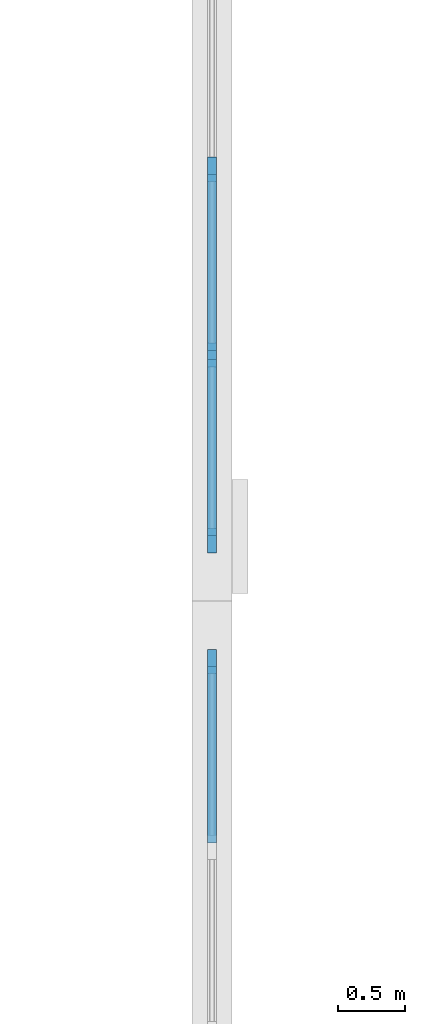
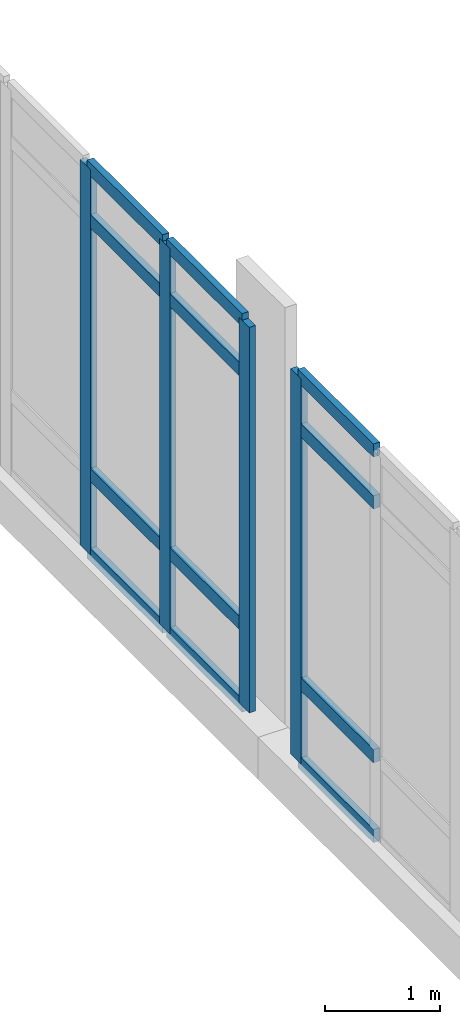
# One storey, part 48 of 110: 16 members, 2 elements without a shape of their own.
"""IFC4 building model written with IfcOpenShell, lengths in metres."""

from ifc_helpers import new_model, si_unit, direction, frame, origin, origin_2d, place, context, subcontext, project, spatial, rectangle, extrude, material, layer, layer_set, material_profile, profile_set, type_object, element, aggregate, save


model = new_model("IFC4")

# Units and contexts
model_context = context("Model", 3, precision=1e-05, world=origin(), true_north=direction((0.0, 1.0)))
body_context = subcontext(model_context, "Body", "Model", "MODEL_VIEW")
ifc_project = project(units=[si_unit("LENGTHUNIT", "METRE"), si_unit("AREAUNIT", "SQUARE_METRE"), si_unit("VOLUMEUNIT", "CUBIC_METRE"), si_unit("PLANEANGLEUNIT", "RADIAN"), si_unit("MASSUNIT", "GRAM", prefix="KILO")], contexts=[model_context])

# Site, building, storey
site_placement = place(None, origin())
site = spatial("IfcSite", under=ifc_project, at=site_placement, CompositionType="ELEMENT")
building_placement = place(site_placement, origin())
building = spatial("IfcBuilding", under=site, at=building_placement, Name="Zacnel Wholesale Market", CompositionType="ELEMENT")
storey_placement = place(building_placement, frame((0.0, 0.0, 6.300048828125)))
storey = spatial("IfcBuildingStorey", under=building, at=storey_placement, Name="L02", CompositionType="ELEMENT", Elevation=6.300048828125)

# Curtain wall, member
ifc_material_1 = material(Name="Anodised aluminium", Category="aluminium")
ifc_layer = layer(ifc_material_1, 0.159912109375)
ifc_layer_set = layer_set([ifc_layer], Name="Anodised aluminium")
curtain_wall_type = type_object("IfcCurtainWallType", Name="CW-NAVE-4200", PredefinedType="NOTDEFINED", material=ifc_layer_set)
curtain_wall_1_placement = place(storey_placement, origin())
curtain_wall_1 = element("IfcCurtainWall", 1, at=curtain_wall_1_placement, inside=storey, type_object=curtain_wall_type, Name="Curtain wall ENV-R2-CW-L02-033", PredefinedType="NOTDEFINED")
ifc_material_2 = material(Name="Anodised aluminium", Category="aluminium")
ifc_material_profile_1 = material_profile(ifc_material_2, rectangle(XDim=0.06494140625, YDim=0.179931640625, at=origin_2d()), Name="AW-MULLION 65x180")
ifc_profile_set_1 = profile_set([ifc_material_profile_1], Name="Anodised aluminium")
member_type_1 = type_object("IfcMemberType", Name="CWM-MUL-03", PredefinedType="MULLION", material=ifc_profile_set_1)
member_1_placement = place(storey_placement, frame((189.0, 119.550048828125, 0.449951171875), z_axis=(0.0, 0.0, 1.0), x_axis=(1.0, 0.0, 0.0)))
member_1 = element("IfcMember", 2, at=member_1_placement, type_object=member_type_1, Name="ENV-R2-CW-L02-033 mullion 09", PredefinedType="MULLION", context=body_context, shape_type="SweptSolid", body=[
    extrude(rectangle(XDim=0.06494140625, YDim=0.179931640625, at=origin_2d()), origin(), (0.0, 0.0, 1.0), 4.10009765625),
])

# Curtain wall, members
curtain_wall_2_placement = place(storey_placement, origin())
curtain_wall_2 = element("IfcCurtainWall", 3, at=curtain_wall_2_placement, inside=storey, type_object=curtain_wall_type, Name="Curtain wall ENV-R2-CW-L02-034", PredefinedType="NOTDEFINED")
member_2_placement = place(storey_placement, frame((189.0, 120.449951171875, 0.449951171875), z_axis=(0.0, 0.0, 1.0), x_axis=(1.0, 0.0, 0.0)))
member_2 = element("IfcMember", 4, at=member_2_placement, type_object=member_type_1, Name="ENV-R2-CW-L02-034 mullion 01", PredefinedType="MULLION", context=body_context, shape_type="SweptSolid", body=[
    extrude(rectangle(XDim=0.06494140625, YDim=0.179931640625, at=origin_2d()), origin(), (0.0, 0.0, 1.0), 4.10009765625),
])
member_3_placement = place(storey_placement, frame((189.0, 121.8349609375, 0.449951171875), z_axis=(0.0, 0.0, 1.0), x_axis=(1.0, 0.0, 0.0)))
member_3 = element("IfcMember", 5, at=member_3_placement, type_object=member_type_1, Name="ENV-R2-CW-L02-034 mullion 02", PredefinedType="MULLION", context=body_context, shape_type="SweptSolid", body=[
    extrude(rectangle(XDim=0.06494140625, YDim=0.179931640625, at=origin_2d()), origin(), (0.0, 0.0, 1.0), 4.10009765625),
])
member_4_placement = place(storey_placement, frame((189.0, 123.219970703125, 0.449951171875), z_axis=(0.0, 0.0, 1.0), x_axis=(1.0, 0.0, 0.0)))
member_4 = element("IfcMember", 6, at=member_4_placement, type_object=member_type_1, Name="ENV-R2-CW-L02-034 mullion 03", PredefinedType="MULLION", context=body_context, shape_type="SweptSolid", body=[
    extrude(rectangle(XDim=0.06494140625, YDim=0.179931640625, at=origin_2d()), origin(), (0.0, 0.0, 1.0), 4.10009765625),
])

# Member
ifc_material_3 = material(Name="Anodised aluminium", Category="aluminium")
ifc_material_profile_2 = material_profile(ifc_material_3, rectangle(XDim=0.06494140625, YDim=0.139892578125, at=origin_2d()), Name="AW-TRANSOM 65x140")
ifc_profile_set_2 = profile_set([ifc_material_profile_2], Name="Anodised aluminium")
member_type_2 = type_object("IfcMemberType", Name="CWM-TRN-03", PredefinedType="USERDEFINED", material=ifc_profile_set_2)
member_5_placement = place(storey_placement, frame((189.0, 118.197509765625, 0.449951171875), z_axis=(0.0, 1.0, 0.0), x_axis=(-1.0, 0.0, 0.0)))
member_5 = element("IfcMember", 7, at=member_5_placement, type_object=member_type_2, Name="ENV-R2-CW-L02-033 transom 8-1", ObjectType="TRANSOM", PredefinedType="USERDEFINED", context=body_context, shape_type="SweptSolid", body=[
    extrude(rectangle(XDim=0.06494140625, YDim=0.139892578125, at=origin_2d()), origin(), (0.0, 0.0, 1.0), 1.3173828125),
])

member_6_placement = place(storey_placement, frame((189.0, 118.197509765625, 1.300048828125), z_axis=(0.0, 1.0, 0.0), x_axis=(-1.0, 0.0, 0.0)))
member_6 = element("IfcMember", 8, at=member_6_placement, type_object=member_type_2, Name="ENV-R2-CW-L02-033 transom 8-2", ObjectType="TRANSOM", PredefinedType="USERDEFINED", context=body_context, shape_type="SweptSolid", body=[
    extrude(rectangle(XDim=0.06494140625, YDim=0.139892578125, at=origin_2d()), origin(), (0.0, 0.0, 1.0), 1.3173828125),
])

member_7_placement = place(storey_placement, frame((189.0, 118.197509765625, 4.0), z_axis=(0.0, 1.0, 0.0), x_axis=(-1.0, 0.0, 0.0)))
member_7 = element("IfcMember", 9, at=member_7_placement, type_object=member_type_2, Name="ENV-R2-CW-L02-033 transom 8-3", ObjectType="TRANSOM", PredefinedType="USERDEFINED", context=body_context, shape_type="SweptSolid", body=[
    extrude(rectangle(XDim=0.06494140625, YDim=0.139892578125, at=origin_2d()), origin(), (0.0, 0.0, 1.0), 1.3173828125),
])

member_8_placement = place(storey_placement, frame((189.0, 118.197509765625, 4.550048828125), z_axis=(0.0, 1.0, 0.0), x_axis=(-1.0, 0.0, 0.0)))
member_8 = element("IfcMember", 10, at=member_8_placement, type_object=member_type_2, Name="ENV-R2-CW-L02-033 transom 8-4", ObjectType="TRANSOM", PredefinedType="USERDEFINED", context=body_context, shape_type="SweptSolid", body=[
    extrude(rectangle(XDim=0.06494140625, YDim=0.139892578125, at=origin_2d()), origin(), (0.0, 0.0, 1.0), 1.3173828125),
])

aggregate(curtain_wall_1, [member_1, member_5, member_6, member_7, member_8])

member_9_placement = place(storey_placement, frame((189.0, 120.485107421875, 0.449951171875), z_axis=(0.0, 1.0, 0.0), x_axis=(-1.0, 0.0, 0.0)))
member_9 = element("IfcMember", 11, at=member_9_placement, type_object=member_type_2, Name="ENV-R2-CW-L02-034 transom 1-1", ObjectType="TRANSOM", PredefinedType="USERDEFINED", context=body_context, shape_type="SweptSolid", body=[
    extrude(rectangle(XDim=0.06494140625, YDim=0.139892578125, at=origin_2d()), origin(), (0.0, 0.0, 1.0), 1.31494140625),
])

member_10_placement = place(storey_placement, frame((189.0, 120.485107421875, 1.300048828125), z_axis=(0.0, 1.0, 0.0), x_axis=(-1.0, 0.0, 0.0)))
member_10 = element("IfcMember", 12, at=member_10_placement, type_object=member_type_2, Name="ENV-R2-CW-L02-034 transom 1-2", ObjectType="TRANSOM", PredefinedType="USERDEFINED", context=body_context, shape_type="SweptSolid", body=[
    extrude(rectangle(XDim=0.06494140625, YDim=0.139892578125, at=origin_2d()), origin(), (0.0, 0.0, 1.0), 1.31494140625),
])

member_11_placement = place(storey_placement, frame((189.0, 120.485107421875, 4.0), z_axis=(0.0, 1.0, 0.0), x_axis=(-1.0, 0.0, 0.0)))
member_11 = element("IfcMember", 13, at=member_11_placement, type_object=member_type_2, Name="ENV-R2-CW-L02-034 transom 1-3", ObjectType="TRANSOM", PredefinedType="USERDEFINED", context=body_context, shape_type="SweptSolid", body=[
    extrude(rectangle(XDim=0.06494140625, YDim=0.139892578125, at=origin_2d()), origin(), (0.0, 0.0, 1.0), 1.31494140625),
])

member_12_placement = place(storey_placement, frame((189.0, 120.485107421875, 4.550048828125), z_axis=(0.0, 1.0, 0.0), x_axis=(-1.0, 0.0, 0.0)))
member_12 = element("IfcMember", 14, at=member_12_placement, type_object=member_type_2, Name="ENV-R2-CW-L02-034 transom 1-4", ObjectType="TRANSOM", PredefinedType="USERDEFINED", context=body_context, shape_type="SweptSolid", body=[
    extrude(rectangle(XDim=0.06494140625, YDim=0.139892578125, at=origin_2d()), origin(), (0.0, 0.0, 1.0), 1.31494140625),
])

member_13_placement = place(storey_placement, frame((189.0, 121.8701171875, 0.449951171875), z_axis=(0.0, 1.0, 0.0), x_axis=(-1.0, 0.0, 0.0)))
member_13 = element("IfcMember", 15, at=member_13_placement, type_object=member_type_2, Name="ENV-R2-CW-L02-034 transom 2-1", ObjectType="TRANSOM", PredefinedType="USERDEFINED", context=body_context, shape_type="SweptSolid", body=[
    extrude(rectangle(XDim=0.06494140625, YDim=0.139892578125, at=origin_2d()), origin(), (0.0, 0.0, 1.0), 1.31494140625),
])

member_14_placement = place(storey_placement, frame((189.0, 121.8701171875, 1.300048828125), z_axis=(0.0, 1.0, 0.0), x_axis=(-1.0, 0.0, 0.0)))
member_14 = element("IfcMember", 16, at=member_14_placement, type_object=member_type_2, Name="ENV-R2-CW-L02-034 transom 2-2", ObjectType="TRANSOM", PredefinedType="USERDEFINED", context=body_context, shape_type="SweptSolid", body=[
    extrude(rectangle(XDim=0.06494140625, YDim=0.139892578125, at=origin_2d()), origin(), (0.0, 0.0, 1.0), 1.31494140625),
])

member_15_placement = place(storey_placement, frame((189.0, 121.8701171875, 4.0), z_axis=(0.0, 1.0, 0.0), x_axis=(-1.0, 0.0, 0.0)))
member_15 = element("IfcMember", 17, at=member_15_placement, type_object=member_type_2, Name="ENV-R2-CW-L02-034 transom 2-3", ObjectType="TRANSOM", PredefinedType="USERDEFINED", context=body_context, shape_type="SweptSolid", body=[
    extrude(rectangle(XDim=0.06494140625, YDim=0.139892578125, at=origin_2d()), origin(), (0.0, 0.0, 1.0), 1.31494140625),
])

member_16_placement = place(storey_placement, frame((189.0, 121.8701171875, 4.550048828125), z_axis=(0.0, 1.0, 0.0), x_axis=(-1.0, 0.0, 0.0)))
member_16 = element("IfcMember", 18, at=member_16_placement, type_object=member_type_2, Name="ENV-R2-CW-L02-034 transom 2-4", ObjectType="TRANSOM", PredefinedType="USERDEFINED", context=body_context, shape_type="SweptSolid", body=[
    extrude(rectangle(XDim=0.06494140625, YDim=0.139892578125, at=origin_2d()), origin(), (0.0, 0.0, 1.0), 1.31494140625),
])

aggregate(curtain_wall_2, [member_2, member_3, member_4, member_9, member_10, member_11, member_12, member_13, member_14, member_15, member_16])

save(model, "model.ifc")
